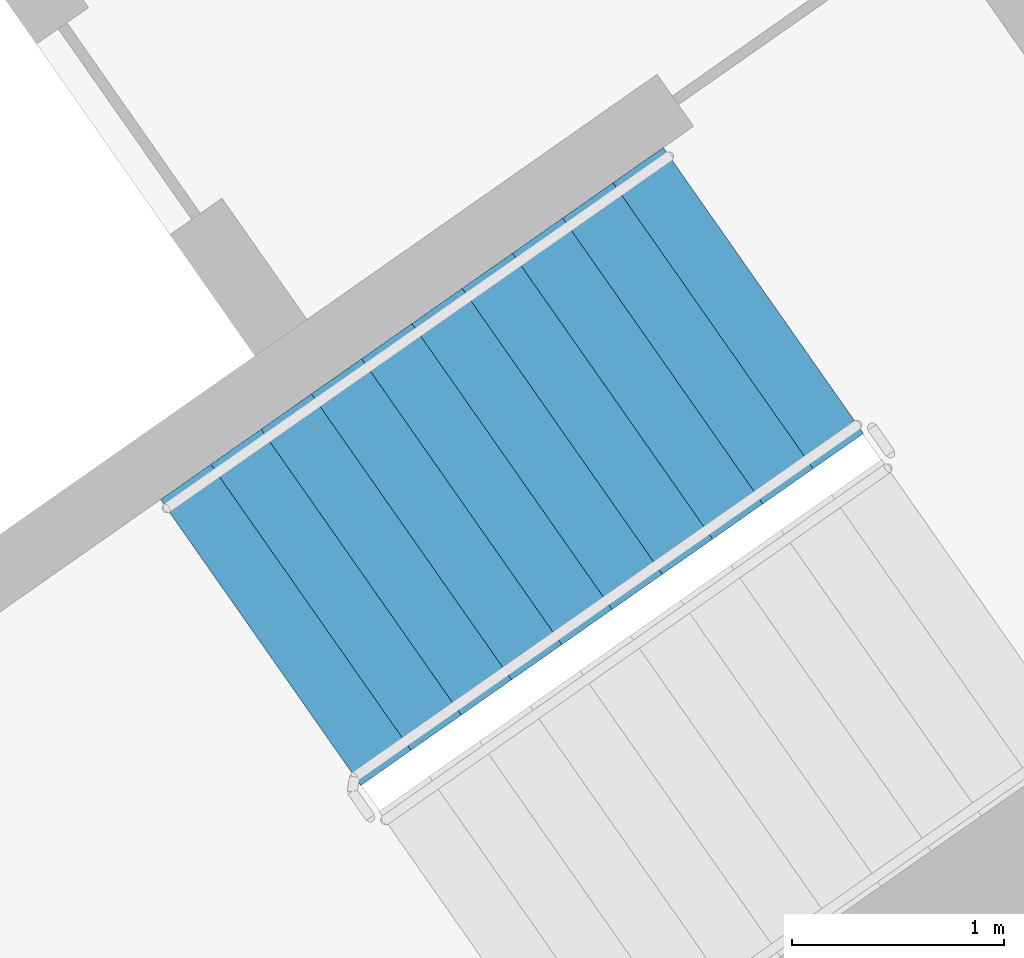
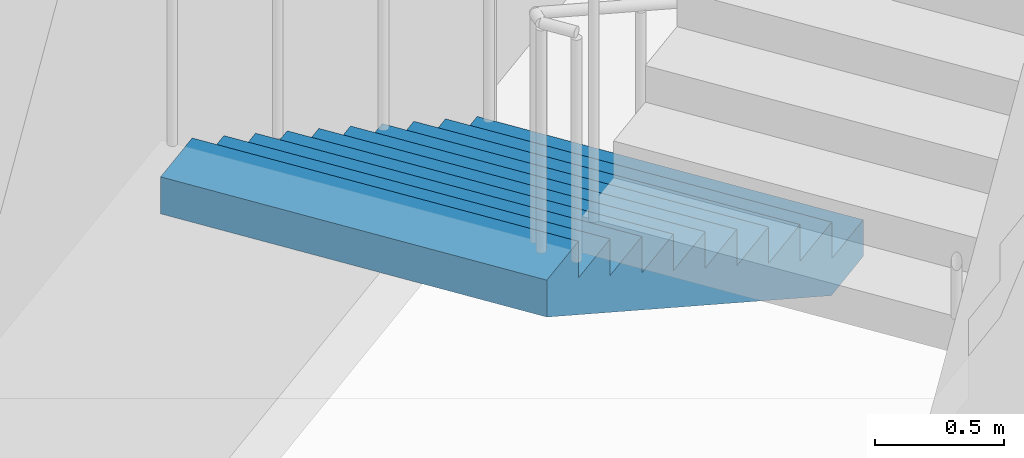
# One storey, part 14 of 27: 1 stair flight, 1 element without a shape of its own.
"""IFC4 building model written with IfcOpenShell, lengths in metres."""

from ifc_helpers import new_model, si_unit, direction, frame, origin, place, context, subcontext, project, spatial, faceted_brep, material, type_object, element, aggregate, save


model = new_model("IFC4")

# Units and contexts
model_context = context("Model", 3, precision=1e-05, world=origin(), true_north=direction((0.0, 1.0)))
body_context = subcontext(model_context, "Body", "Model", "MODEL_VIEW")
ifc_project = project(units=[si_unit("LENGTHUNIT", "METRE"), si_unit("AREAUNIT", "SQUARE_METRE"), si_unit("VOLUMEUNIT", "CUBIC_METRE"), si_unit("PLANEANGLEUNIT", "RADIAN"), si_unit("MASSUNIT", "GRAM", prefix="KILO")], contexts=[model_context])

# Site, building, storey
site_placement = place(None, origin())
site = spatial("IfcSite", under=ifc_project, at=site_placement, CompositionType="ELEMENT")
building_placement = place(site_placement, origin())
building = spatial("IfcBuilding", under=site, at=building_placement, Name="Qamariyya Broadcast Tower", CompositionType="ELEMENT")
storey_placement = place(building_placement, frame((0.0, 0.0, 211.300048828125)))
storey = spatial("IfcBuildingStorey", under=building, at=storey_placement, Name="L50", CompositionType="ELEMENT", Elevation=211.300048828125)

# Stair, stair flight
ifc_material = material(Name="Concrete C50/60", Category="concrete")
stair_type = type_object("IfcStairType", Name="Exit stair 22 risers of 173 mm", PredefinedType="HALF_TURN_STAIR", material=ifc_material)
stair_placement = place(storey_placement, origin())
stair = element("IfcStair", 1, at=stair_placement, inside=storey, type_object=stair_type, Name="L50 Stair E1", PredefinedType="HALF_TURN_STAIR")
stair_flight_type = type_object("IfcStairFlightType", Name="Exit stair flight 11 risers of 173 mm", PredefinedType="STRAIGHT", material=ifc_material)
stair_flight_placement = place(storey_placement, frame((46.036376953125, -55.508056640625, 0.0), z_axis=(0.0, 0.0, 1.0), x_axis=(-0.819152044289, -0.573576436351, 0.0)))
stair_flight = element("IfcStairFlight", 2, at=stair_flight_placement, type_object=stair_flight_type, Name="ST-E1 flight 1", NumberOfRisers=11, NumberOfTreads=10, PredefinedType="STRAIGHT", RiserHeight=0.172727273, TreadLength=0.29, context=body_context, shape_type="Brep", body=[
    faceted_brep([(0.0, 0.824951171875, 0.0), (0.0, 0.824951171875, 0.172607421875), (0.2900390625, 0.824951171875, 0.172607421875), (0.2900390625, 0.824951171875, 0.345458984375), (0.580078125, 0.824951171875, 0.345458984375), (0.580078125, 0.824951171875, 0.51806640625), (0.8701171875, 0.824951171875, 0.51806640625), (0.8701171875, 0.824951171875, 0.69091796875), (1.159912109375, 0.824951171875, 0.69091796875), (1.159912109375, 0.824951171875, 0.863525390625), (1.449951171875, 0.824951171875, 0.863525390625), (1.449951171875, 0.824951171875, 1.036376953125), (1.739990234375, 0.824951171875, 1.036376953125), (1.739990234375, 0.824951171875, 1.208984375), (2.030029296875, 0.824951171875, 1.208984375), (2.030029296875, 0.824951171875, 1.3818359375), (2.320068359375, 0.824951171875, 1.3818359375), (2.320068359375, 0.824951171875, 1.554443359375), (2.610107421875, 0.824951171875, 1.554443359375), (2.610107421875, 0.824951171875, 1.727294921875), (2.89990234375, 0.824951171875, 1.727294921875), (2.89990234375, 0.824951171875, 1.552734375), (0.29296875, 0.824951171875, 0.0), (0.29296875, -0.824951171875, 0.0), (2.89990234375, -0.824951171875, 1.552734375), (2.89990234375, -0.824951171875, 1.727294921875), (2.610107421875, -0.824951171875, 1.727294921875), (2.610107421875, -0.824951171875, 1.554443359375), (2.320068359375, -0.824951171875, 1.554443359375), (2.320068359375, -0.824951171875, 1.3818359375), (2.030029296875, -0.824951171875, 1.3818359375), (2.030029296875, -0.824951171875, 1.208984375), (1.739990234375, -0.824951171875, 1.208984375), (1.739990234375, -0.824951171875, 1.036376953125), (1.449951171875, -0.824951171875, 1.036376953125), (1.449951171875, -0.824951171875, 0.863525390625), (1.159912109375, -0.824951171875, 0.863525390625), (1.159912109375, -0.824951171875, 0.69091796875), (0.8701171875, -0.824951171875, 0.69091796875), (0.8701171875, -0.824951171875, 0.51806640625), (0.580078125, -0.824951171875, 0.51806640625), (0.580078125, -0.824951171875, 0.345458984375), (0.2900390625, -0.824951171875, 0.345458984375), (0.2900390625, -0.824951171875, 0.172607421875), (0.0, -0.824951171875, 0.172607421875), (0.0, -0.824951171875, 0.0), (0.0, 0.10009765625, 0.0), (0.0, 0.086669921875, 0.0), (0.0, 0.0732421875, 0.0), (0.0, 0.06005859375, 0.0), (0.0, 0.046630859375, 0.0), (0.0, 0.033447265625, 0.0), (0.0, 0.02001953125, 0.0), (0.0, 0.006591796875, 0.0), (0.0, -0.006591796875, 0.0), (0.0, -0.02001953125, 0.0), (0.0, -0.033447265625, 0.0), (0.0, -0.046630859375, 0.0), (0.0, -0.06005859375, 0.0), (0.0, -0.0732421875, 0.0), (0.0, -0.086669921875, 0.0), (0.0, -0.10009765625, 0.0), (0.0, -0.10009765625, 0.172607421875), (0.0, -0.086669921875, 0.172607421875), (0.0, -0.0732421875, 0.172607421875), (0.0, -0.06005859375, 0.172607421875), (0.0, -0.046630859375, 0.172607421875), (0.0, -0.033447265625, 0.172607421875), (0.0, -0.02001953125, 0.172607421875), (0.0, -0.006591796875, 0.172607421875), (0.0, 0.006591796875, 0.172607421875), (0.0, 0.02001953125, 0.172607421875), (0.0, 0.033447265625, 0.172607421875), (0.0, 0.046630859375, 0.172607421875), (0.0, 0.06005859375, 0.172607421875), (0.0, 0.0732421875, 0.172607421875), (0.0, 0.086669921875, 0.172607421875), (0.0, 0.10009765625, 0.172607421875), (0.2900390625, -0.10009765625, 0.172607421875), (0.2900390625, -0.086669921875, 0.172607421875), (0.2900390625, -0.0732421875, 0.172607421875), (0.2900390625, -0.06005859375, 0.172607421875), (0.2900390625, -0.046630859375, 0.172607421875), (0.2900390625, -0.033447265625, 0.172607421875), (0.2900390625, -0.02001953125, 0.172607421875), (0.2900390625, -0.006591796875, 0.172607421875), (0.2900390625, 0.006591796875, 0.172607421875), (0.2900390625, 0.02001953125, 0.172607421875), (0.2900390625, 0.033447265625, 0.172607421875), (0.2900390625, 0.046630859375, 0.172607421875), (0.2900390625, 0.06005859375, 0.172607421875), (0.2900390625, 0.0732421875, 0.172607421875), (0.2900390625, 0.086669921875, 0.172607421875), (0.2900390625, 0.10009765625, 0.172607421875), (0.2900390625, -0.10009765625, 0.345458984375), (0.2900390625, -0.086669921875, 0.345458984375), (0.2900390625, -0.0732421875, 0.345458984375), (0.2900390625, -0.06005859375, 0.345458984375), (0.2900390625, -0.046630859375, 0.345458984375), (0.2900390625, -0.033447265625, 0.345458984375), (0.2900390625, -0.02001953125, 0.345458984375), (0.2900390625, -0.006591796875, 0.345458984375), (0.2900390625, 0.006591796875, 0.345458984375), (0.2900390625, 0.02001953125, 0.345458984375), (0.2900390625, 0.033447265625, 0.345458984375), (0.2900390625, 0.046630859375, 0.345458984375), (0.2900390625, 0.06005859375, 0.345458984375), (0.2900390625, 0.0732421875, 0.345458984375), (0.2900390625, 0.086669921875, 0.345458984375), (0.2900390625, 0.10009765625, 0.345458984375), (0.580078125, -0.10009765625, 0.345458984375), (0.580078125, -0.086669921875, 0.345458984375), (0.580078125, -0.0732421875, 0.345458984375), (0.580078125, -0.06005859375, 0.345458984375), (0.580078125, -0.046630859375, 0.345458984375), (0.580078125, -0.033447265625, 0.345458984375), (0.580078125, -0.02001953125, 0.345458984375), (0.580078125, -0.006591796875, 0.345458984375), (0.580078125, 0.006591796875, 0.345458984375), (0.580078125, 0.02001953125, 0.345458984375), (0.580078125, 0.033447265625, 0.345458984375), (0.580078125, 0.046630859375, 0.345458984375), (0.580078125, 0.06005859375, 0.345458984375), (0.580078125, 0.0732421875, 0.345458984375), (0.580078125, 0.086669921875, 0.345458984375), (0.580078125, 0.10009765625, 0.345458984375), (0.580078125, -0.10009765625, 0.51806640625), (0.580078125, -0.086669921875, 0.51806640625), (0.580078125, -0.0732421875, 0.51806640625), (0.580078125, -0.06005859375, 0.51806640625), (0.580078125, -0.046630859375, 0.51806640625), (0.580078125, -0.033447265625, 0.51806640625), (0.580078125, -0.02001953125, 0.51806640625), (0.580078125, -0.006591796875, 0.51806640625), (0.580078125, 0.006591796875, 0.51806640625), (0.580078125, 0.02001953125, 0.51806640625), (0.580078125, 0.033447265625, 0.51806640625), (0.580078125, 0.046630859375, 0.51806640625), (0.580078125, 0.06005859375, 0.51806640625), (0.580078125, 0.0732421875, 0.51806640625), (0.580078125, 0.086669921875, 0.51806640625), (0.580078125, 0.10009765625, 0.51806640625), (0.8701171875, -0.10009765625, 0.51806640625), (0.8701171875, -0.086669921875, 0.51806640625), (0.8701171875, -0.0732421875, 0.51806640625), (0.8701171875, -0.06005859375, 0.51806640625), (0.8701171875, -0.046630859375, 0.51806640625), (0.8701171875, -0.033447265625, 0.51806640625), (0.8701171875, -0.02001953125, 0.51806640625), (0.8701171875, -0.006591796875, 0.51806640625), (0.8701171875, 0.006591796875, 0.51806640625), (0.8701171875, 0.02001953125, 0.51806640625), (0.8701171875, 0.033447265625, 0.51806640625), (0.8701171875, 0.046630859375, 0.51806640625), (0.8701171875, 0.06005859375, 0.51806640625), (0.8701171875, 0.0732421875, 0.51806640625), (0.8701171875, 0.086669921875, 0.51806640625), (0.8701171875, 0.10009765625, 0.51806640625), (0.8701171875, -0.10009765625, 0.69091796875), (0.8701171875, -0.086669921875, 0.69091796875), (0.8701171875, -0.0732421875, 0.69091796875), (0.8701171875, -0.06005859375, 0.69091796875), (0.8701171875, -0.046630859375, 0.69091796875), (0.8701171875, -0.033447265625, 0.69091796875), (0.8701171875, -0.02001953125, 0.69091796875), (0.8701171875, -0.006591796875, 0.69091796875), (0.8701171875, 0.006591796875, 0.69091796875), (0.8701171875, 0.02001953125, 0.69091796875), (0.8701171875, 0.033447265625, 0.69091796875), (0.8701171875, 0.046630859375, 0.69091796875), (0.8701171875, 0.06005859375, 0.69091796875), (0.8701171875, 0.0732421875, 0.69091796875), (0.8701171875, 0.086669921875, 0.69091796875), (0.8701171875, 0.10009765625, 0.69091796875), (1.159912109375, -0.10009765625, 0.69091796875), (1.159912109375, -0.086669921875, 0.69091796875), (1.159912109375, -0.0732421875, 0.69091796875), (1.159912109375, -0.06005859375, 0.69091796875), (1.159912109375, -0.046630859375, 0.69091796875), (1.159912109375, -0.033447265625, 0.69091796875), (1.159912109375, -0.02001953125, 0.69091796875), (1.159912109375, -0.006591796875, 0.69091796875), (1.159912109375, 0.006591796875, 0.69091796875), (1.159912109375, 0.02001953125, 0.69091796875), (1.159912109375, 0.033447265625, 0.69091796875), (1.159912109375, 0.046630859375, 0.69091796875), (1.159912109375, 0.06005859375, 0.69091796875), (1.159912109375, 0.0732421875, 0.69091796875), (1.159912109375, 0.086669921875, 0.69091796875), (1.159912109375, 0.10009765625, 0.69091796875), (1.159912109375, -0.10009765625, 0.863525390625), (1.159912109375, -0.086669921875, 0.863525390625), (1.159912109375, -0.0732421875, 0.863525390625), (1.159912109375, -0.06005859375, 0.863525390625), (1.159912109375, -0.046630859375, 0.863525390625), (1.159912109375, -0.033447265625, 0.863525390625), (1.159912109375, -0.02001953125, 0.863525390625), (1.159912109375, -0.006591796875, 0.863525390625), (1.159912109375, 0.006591796875, 0.863525390625), (1.159912109375, 0.02001953125, 0.863525390625), (1.159912109375, 0.033447265625, 0.863525390625), (1.159912109375, 0.046630859375, 0.863525390625), (1.159912109375, 0.06005859375, 0.863525390625), (1.159912109375, 0.0732421875, 0.863525390625), (1.159912109375, 0.086669921875, 0.863525390625), (1.159912109375, 0.10009765625, 0.863525390625), (1.449951171875, -0.10009765625, 0.863525390625), (1.449951171875, -0.086669921875, 0.863525390625), (1.449951171875, -0.0732421875, 0.863525390625), (1.449951171875, -0.06005859375, 0.863525390625), (1.449951171875, -0.046630859375, 0.863525390625), (1.449951171875, -0.033447265625, 0.863525390625), (1.449951171875, -0.02001953125, 0.863525390625), (1.449951171875, -0.006591796875, 0.863525390625), (1.449951171875, 0.006591796875, 0.863525390625), (1.449951171875, 0.02001953125, 0.863525390625), (1.449951171875, 0.033447265625, 0.863525390625), (1.449951171875, 0.046630859375, 0.863525390625), (1.449951171875, 0.06005859375, 0.863525390625), (1.449951171875, 0.0732421875, 0.863525390625), (1.449951171875, 0.086669921875, 0.863525390625), (1.449951171875, 0.10009765625, 0.863525390625), (1.449951171875, -0.10009765625, 1.036376953125), (1.449951171875, -0.086669921875, 1.036376953125), (1.449951171875, -0.0732421875, 1.036376953125), (1.449951171875, -0.06005859375, 1.036376953125), (1.449951171875, -0.046630859375, 1.036376953125), (1.449951171875, -0.033447265625, 1.036376953125), (1.449951171875, -0.02001953125, 1.036376953125), (1.449951171875, -0.006591796875, 1.036376953125), (1.449951171875, 0.006591796875, 1.036376953125), (1.449951171875, 0.02001953125, 1.036376953125), (1.449951171875, 0.033447265625, 1.036376953125), (1.449951171875, 0.046630859375, 1.036376953125), (1.449951171875, 0.06005859375, 1.036376953125), (1.449951171875, 0.0732421875, 1.036376953125), (1.449951171875, 0.086669921875, 1.036376953125), (1.449951171875, 0.10009765625, 1.036376953125), (1.739990234375, -0.10009765625, 1.036376953125), (1.739990234375, -0.086669921875, 1.036376953125), (1.739990234375, -0.0732421875, 1.036376953125), (1.739990234375, -0.06005859375, 1.036376953125), (1.739990234375, -0.046630859375, 1.036376953125), (1.739990234375, -0.033447265625, 1.036376953125), (1.739990234375, -0.02001953125, 1.036376953125), (1.739990234375, -0.006591796875, 1.036376953125), (1.739990234375, 0.006591796875, 1.036376953125), (1.739990234375, 0.02001953125, 1.036376953125), (1.739990234375, 0.033447265625, 1.036376953125), (1.739990234375, 0.046630859375, 1.036376953125), (1.739990234375, 0.06005859375, 1.036376953125), (1.739990234375, 0.0732421875, 1.036376953125), (1.739990234375, 0.086669921875, 1.036376953125), (1.739990234375, 0.10009765625, 1.036376953125), (1.739990234375, -0.10009765625, 1.208984375), (1.739990234375, -0.086669921875, 1.208984375), (1.739990234375, -0.0732421875, 1.208984375), (1.739990234375, -0.06005859375, 1.208984375), (1.739990234375, -0.046630859375, 1.208984375), (1.739990234375, -0.033447265625, 1.208984375), (1.739990234375, -0.02001953125, 1.208984375), (1.739990234375, -0.006591796875, 1.208984375), (1.739990234375, 0.006591796875, 1.208984375), (1.739990234375, 0.02001953125, 1.208984375), (1.739990234375, 0.033447265625, 1.208984375), (1.739990234375, 0.046630859375, 1.208984375), (1.739990234375, 0.06005859375, 1.208984375), (1.739990234375, 0.0732421875, 1.208984375), (1.739990234375, 0.086669921875, 1.208984375), (1.739990234375, 0.10009765625, 1.208984375), (2.030029296875, -0.10009765625, 1.208984375), (2.030029296875, -0.086669921875, 1.208984375), (2.030029296875, -0.0732421875, 1.208984375), (2.030029296875, -0.06005859375, 1.208984375), (2.030029296875, -0.046630859375, 1.208984375), (2.030029296875, -0.033447265625, 1.208984375), (2.030029296875, -0.02001953125, 1.208984375), (2.030029296875, -0.006591796875, 1.208984375), (2.030029296875, 0.006591796875, 1.208984375), (2.030029296875, 0.02001953125, 1.208984375), (2.030029296875, 0.033447265625, 1.208984375), (2.030029296875, 0.046630859375, 1.208984375), (2.030029296875, 0.06005859375, 1.208984375), (2.030029296875, 0.0732421875, 1.208984375), (2.030029296875, 0.086669921875, 1.208984375), (2.030029296875, 0.10009765625, 1.208984375), (2.030029296875, -0.10009765625, 1.3818359375), (2.030029296875, -0.086669921875, 1.3818359375), (2.030029296875, -0.0732421875, 1.3818359375), (2.030029296875, -0.06005859375, 1.3818359375), (2.030029296875, -0.046630859375, 1.3818359375), (2.030029296875, -0.033447265625, 1.3818359375), (2.030029296875, -0.02001953125, 1.3818359375), (2.030029296875, -0.006591796875, 1.3818359375), (2.030029296875, 0.006591796875, 1.3818359375), (2.030029296875, 0.02001953125, 1.3818359375), (2.030029296875, 0.033447265625, 1.3818359375), (2.030029296875, 0.046630859375, 1.3818359375), (2.030029296875, 0.06005859375, 1.3818359375), (2.030029296875, 0.0732421875, 1.3818359375), (2.030029296875, 0.086669921875, 1.3818359375), (2.030029296875, 0.10009765625, 1.3818359375), (2.320068359375, -0.10009765625, 1.3818359375), (2.320068359375, -0.086669921875, 1.3818359375), (2.320068359375, -0.0732421875, 1.3818359375), (2.320068359375, -0.06005859375, 1.3818359375), (2.320068359375, -0.046630859375, 1.3818359375), (2.320068359375, -0.033447265625, 1.3818359375), (2.320068359375, -0.02001953125, 1.3818359375), (2.320068359375, -0.006591796875, 1.3818359375), (2.320068359375, 0.006591796875, 1.3818359375), (2.320068359375, 0.02001953125, 1.3818359375), (2.320068359375, 0.033447265625, 1.3818359375), (2.320068359375, 0.046630859375, 1.3818359375), (2.320068359375, 0.06005859375, 1.3818359375), (2.320068359375, 0.0732421875, 1.3818359375), (2.320068359375, 0.086669921875, 1.3818359375), (2.320068359375, 0.10009765625, 1.3818359375), (2.320068359375, -0.10009765625, 1.554443359375), (2.320068359375, -0.086669921875, 1.554443359375), (2.320068359375, -0.0732421875, 1.554443359375), (2.320068359375, -0.06005859375, 1.554443359375), (2.320068359375, -0.046630859375, 1.554443359375), (2.320068359375, -0.033447265625, 1.554443359375), (2.320068359375, -0.02001953125, 1.554443359375), (2.320068359375, -0.006591796875, 1.554443359375), (2.320068359375, 0.006591796875, 1.554443359375), (2.320068359375, 0.02001953125, 1.554443359375), (2.320068359375, 0.033447265625, 1.554443359375), (2.320068359375, 0.046630859375, 1.554443359375), (2.320068359375, 0.06005859375, 1.554443359375), (2.320068359375, 0.0732421875, 1.554443359375), (2.320068359375, 0.086669921875, 1.554443359375), (2.320068359375, 0.10009765625, 1.554443359375), (2.610107421875, -0.10009765625, 1.554443359375), (2.610107421875, -0.086669921875, 1.554443359375), (2.610107421875, -0.0732421875, 1.554443359375), (2.610107421875, -0.06005859375, 1.554443359375), (2.610107421875, -0.046630859375, 1.554443359375), (2.610107421875, -0.033447265625, 1.554443359375), (2.610107421875, -0.02001953125, 1.554443359375), (2.610107421875, -0.006591796875, 1.554443359375), (2.610107421875, 0.006591796875, 1.554443359375), (2.610107421875, 0.02001953125, 1.554443359375), (2.610107421875, 0.033447265625, 1.554443359375), (2.610107421875, 0.046630859375, 1.554443359375), (2.610107421875, 0.06005859375, 1.554443359375), (2.610107421875, 0.0732421875, 1.554443359375), (2.610107421875, 0.086669921875, 1.554443359375), (2.610107421875, 0.10009765625, 1.554443359375), (2.610107421875, -0.10009765625, 1.727294921875), (2.610107421875, -0.086669921875, 1.727294921875), (2.610107421875, -0.0732421875, 1.727294921875), (2.610107421875, -0.06005859375, 1.727294921875), (2.610107421875, -0.046630859375, 1.727294921875), (2.610107421875, -0.033447265625, 1.727294921875), (2.610107421875, -0.02001953125, 1.727294921875), (2.610107421875, -0.006591796875, 1.727294921875), (2.610107421875, 0.006591796875, 1.727294921875), (2.610107421875, 0.02001953125, 1.727294921875), (2.610107421875, 0.033447265625, 1.727294921875), (2.610107421875, 0.046630859375, 1.727294921875), (2.610107421875, 0.06005859375, 1.727294921875), (2.610107421875, 0.0732421875, 1.727294921875), (2.610107421875, 0.086669921875, 1.727294921875), (2.610107421875, 0.10009765625, 1.727294921875), (2.89990234375, -0.10009765625, 1.727294921875), (2.89990234375, -0.086669921875, 1.727294921875), (2.89990234375, -0.0732421875, 1.727294921875), (2.89990234375, -0.06005859375, 1.727294921875), (2.89990234375, -0.046630859375, 1.727294921875), (2.89990234375, -0.033447265625, 1.727294921875), (2.89990234375, -0.02001953125, 1.727294921875), (2.89990234375, -0.006591796875, 1.727294921875), (2.89990234375, 0.006591796875, 1.727294921875), (2.89990234375, 0.02001953125, 1.727294921875), (2.89990234375, 0.033447265625, 1.727294921875), (2.89990234375, 0.046630859375, 1.727294921875), (2.89990234375, 0.06005859375, 1.727294921875), (2.89990234375, 0.0732421875, 1.727294921875), (2.89990234375, 0.086669921875, 1.727294921875), (2.89990234375, 0.10009765625, 1.727294921875), (2.89990234375, -0.10009765625, 1.552734375), (2.89990234375, -0.086669921875, 1.552734375), (2.89990234375, -0.0732421875, 1.552734375), (2.89990234375, -0.06005859375, 1.552734375), (2.89990234375, -0.046630859375, 1.552734375), (2.89990234375, -0.033447265625, 1.552734375), (2.89990234375, -0.02001953125, 1.552734375), (2.89990234375, -0.006591796875, 1.552734375), (2.89990234375, 0.006591796875, 1.552734375), (2.89990234375, 0.02001953125, 1.552734375), (2.89990234375, 0.033447265625, 1.552734375), (2.89990234375, 0.046630859375, 1.552734375), (2.89990234375, 0.06005859375, 1.552734375), (2.89990234375, 0.0732421875, 1.552734375), (2.89990234375, 0.086669921875, 1.552734375), (2.89990234375, 0.10009765625, 1.552734375), (0.29296875, -0.10009765625, 0.0), (0.29296875, -0.086669921875, 0.0), (0.29296875, -0.0732421875, 0.0), (0.29296875, -0.06005859375, 0.0), (0.29296875, -0.046630859375, 0.0), (0.29296875, -0.033447265625, 0.0), (0.29296875, -0.02001953125, 0.0), (0.29296875, -0.006591796875, 0.0), (0.29296875, 0.006591796875, 0.0), (0.29296875, 0.02001953125, 0.0), (0.29296875, 0.033447265625, 0.0), (0.29296875, 0.046630859375, 0.0), (0.29296875, 0.06005859375, 0.0), (0.29296875, 0.0732421875, 0.0), (0.29296875, 0.086669921875, 0.0), (0.29296875, 0.10009765625, 0.0)], [[[0, 1, 2, 3, 4, 5, 6, 7, 8, 9, 10, 11, 12, 13, 14, 15, 16, 17, 18, 19, 20, 21, 22]], [[23, 24, 25, 26, 27, 28, 29, 30, 31, 32, 33, 34, 35, 36, 37, 38, 39, 40, 41, 42, 43, 44, 45]], [[0, 46, 47, 48, 49, 50, 51, 52, 53, 54, 55, 56, 57, 58, 59, 60, 61, 45, 44, 62, 63, 64, 65, 66, 67, 68, 69, 70, 71, 72, 73, 74, 75, 76, 77, 1]], [[1, 77, 76, 75, 74, 73, 72, 71, 70, 69, 68, 67, 66, 65, 64, 63, 62, 44, 43, 78, 79, 80, 81, 82, 83, 84, 85, 86, 87, 88, 89, 90, 91, 92, 93, 2]], [[2, 93, 92, 91, 90, 89, 88, 87, 86, 85, 84, 83, 82, 81, 80, 79, 78, 43, 42, 94, 95, 96, 97, 98, 99, 100, 101, 102, 103, 104, 105, 106, 107, 108, 109, 3]], [[3, 109, 108, 107, 106, 105, 104, 103, 102, 101, 100, 99, 98, 97, 96, 95, 94, 42, 41, 110, 111, 112, 113, 114, 115, 116, 117, 118, 119, 120, 121, 122, 123, 124, 125, 4]], [[4, 125, 124, 123, 122, 121, 120, 119, 118, 117, 116, 115, 114, 113, 112, 111, 110, 41, 40, 126, 127, 128, 129, 130, 131, 132, 133, 134, 135, 136, 137, 138, 139, 140, 141, 5]], [[5, 141, 140, 139, 138, 137, 136, 135, 134, 133, 132, 131, 130, 129, 128, 127, 126, 40, 39, 142, 143, 144, 145, 146, 147, 148, 149, 150, 151, 152, 153, 154, 155, 156, 157, 6]], [[6, 157, 156, 155, 154, 153, 152, 151, 150, 149, 148, 147, 146, 145, 144, 143, 142, 39, 38, 158, 159, 160, 161, 162, 163, 164, 165, 166, 167, 168, 169, 170, 171, 172, 173, 7]], [[7, 173, 172, 171, 170, 169, 168, 167, 166, 165, 164, 163, 162, 161, 160, 159, 158, 38, 37, 174, 175, 176, 177, 178, 179, 180, 181, 182, 183, 184, 185, 186, 187, 188, 189, 8]], [[8, 189, 188, 187, 186, 185, 184, 183, 182, 181, 180, 179, 178, 177, 176, 175, 174, 37, 36, 190, 191, 192, 193, 194, 195, 196, 197, 198, 199, 200, 201, 202, 203, 204, 205, 9]], [[9, 205, 204, 203, 202, 201, 200, 199, 198, 197, 196, 195, 194, 193, 192, 191, 190, 36, 35, 206, 207, 208, 209, 210, 211, 212, 213, 214, 215, 216, 217, 218, 219, 220, 221, 10]], [[10, 221, 220, 219, 218, 217, 216, 215, 214, 213, 212, 211, 210, 209, 208, 207, 206, 35, 34, 222, 223, 224, 225, 226, 227, 228, 229, 230, 231, 232, 233, 234, 235, 236, 237, 11]], [[11, 237, 236, 235, 234, 233, 232, 231, 230, 229, 228, 227, 226, 225, 224, 223, 222, 34, 33, 238, 239, 240, 241, 242, 243, 244, 245, 246, 247, 248, 249, 250, 251, 252, 253, 12]], [[12, 253, 252, 251, 250, 249, 248, 247, 246, 245, 244, 243, 242, 241, 240, 239, 238, 33, 32, 254, 255, 256, 257, 258, 259, 260, 261, 262, 263, 264, 265, 266, 267, 268, 269, 13]], [[13, 269, 268, 267, 266, 265, 264, 263, 262, 261, 260, 259, 258, 257, 256, 255, 254, 32, 31, 270, 271, 272, 273, 274, 275, 276, 277, 278, 279, 280, 281, 282, 283, 284, 285, 14]], [[14, 285, 284, 283, 282, 281, 280, 279, 278, 277, 276, 275, 274, 273, 272, 271, 270, 31, 30, 286, 287, 288, 289, 290, 291, 292, 293, 294, 295, 296, 297, 298, 299, 300, 301, 15]], [[15, 301, 300, 299, 298, 297, 296, 295, 294, 293, 292, 291, 290, 289, 288, 287, 286, 30, 29, 302, 303, 304, 305, 306, 307, 308, 309, 310, 311, 312, 313, 314, 315, 316, 317, 16]], [[16, 317, 316, 315, 314, 313, 312, 311, 310, 309, 308, 307, 306, 305, 304, 303, 302, 29, 28, 318, 319, 320, 321, 322, 323, 324, 325, 326, 327, 328, 329, 330, 331, 332, 333, 17]], [[17, 333, 332, 331, 330, 329, 328, 327, 326, 325, 324, 323, 322, 321, 320, 319, 318, 28, 27, 334, 335, 336, 337, 338, 339, 340, 341, 342, 343, 344, 345, 346, 347, 348, 349, 18]], [[18, 349, 348, 347, 346, 345, 344, 343, 342, 341, 340, 339, 338, 337, 336, 335, 334, 27, 26, 350, 351, 352, 353, 354, 355, 356, 357, 358, 359, 360, 361, 362, 363, 364, 365, 19]], [[19, 365, 364, 363, 362, 361, 360, 359, 358, 357, 356, 355, 354, 353, 352, 351, 350, 26, 25, 366, 367, 368, 369, 370, 371, 372, 373, 374, 375, 376, 377, 378, 379, 380, 381, 20]], [[20, 381, 380, 379, 378, 377, 376, 375, 374, 373, 372, 371, 370, 369, 368, 367, 366, 25, 24, 382, 383, 384, 385, 386, 387, 388, 389, 390, 391, 392, 393, 394, 395, 396, 397, 21]], [[21, 397, 396, 395, 394, 393, 392, 391, 390, 389, 388, 387, 386, 385, 384, 383, 382, 24, 23, 398, 399, 400, 401, 402, 403, 404, 405, 406, 407, 408, 409, 410, 411, 412, 413, 22]], [[22, 413, 412, 411, 410, 409, 408, 407, 406, 405, 404, 403, 402, 401, 400, 399, 398, 23, 45, 61, 60, 59, 58, 57, 56, 55, 54, 53, 52, 51, 50, 49, 48, 47, 46, 0]]]),
])
aggregate(stair, [stair_flight])

save(model, "model.ifc")
